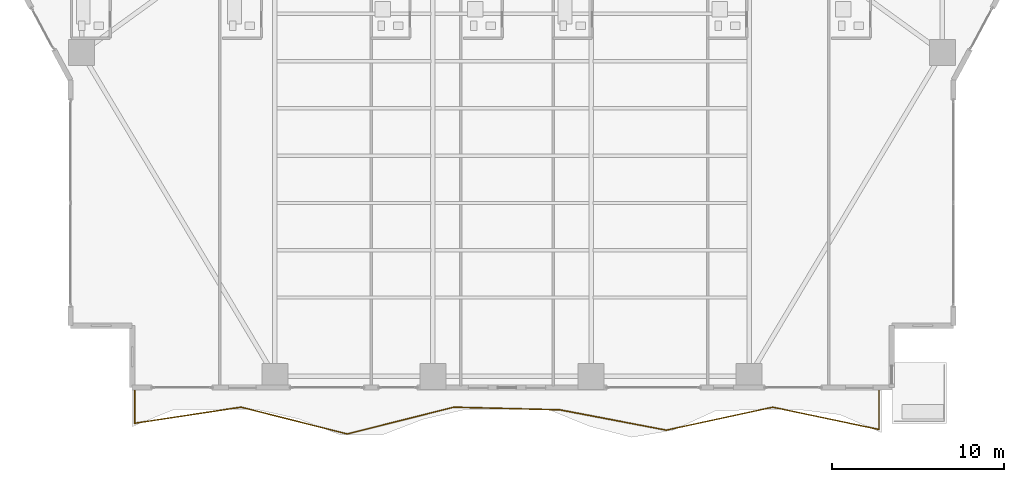
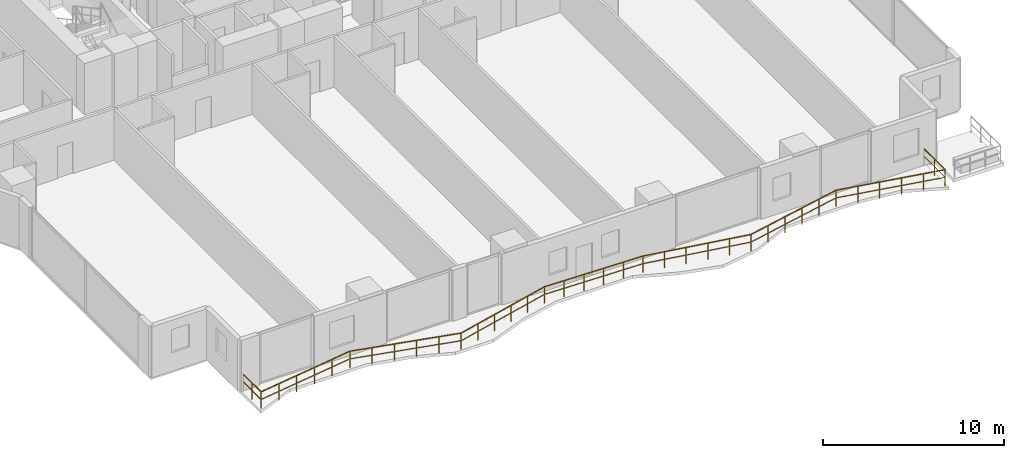
# One storey, part 23 of 29: 1 railing.
"""IFC4 building model written with IfcOpenShell, lengths in metres."""

from ifc_helpers import new_model, si_unit, direction, frame, origin, origin_2d, place, context, subcontext, project, spatial, rectangle, extrude, material, type_object, element, save


model = new_model("IFC4")

# Units and contexts
model_context = context("Model", 3, precision=1e-05, world=origin(), true_north=direction((0.0, 1.0)))
body_context = subcontext(model_context, "Body", "Model", "MODEL_VIEW")
ifc_project = project(units=[si_unit("LENGTHUNIT", "METRE"), si_unit("AREAUNIT", "SQUARE_METRE"), si_unit("VOLUMEUNIT", "CUBIC_METRE"), si_unit("PLANEANGLEUNIT", "RADIAN"), si_unit("MASSUNIT", "GRAM", prefix="KILO")], contexts=[model_context])

# Site, building, storey
site_placement = place(None, origin())
site = spatial("IfcSite", under=ifc_project, at=site_placement, CompositionType="ELEMENT")
building_placement = place(site_placement, origin())
building = spatial("IfcBuilding", under=site, at=building_placement, Name="Zuhayl Quay Hotel", CompositionType="ELEMENT")
storey_placement = place(building_placement, frame((0.0, 0.0, 45.85009765625)))
storey = spatial("IfcBuildingStorey", under=building, at=storey_placement, Name="L10", CompositionType="ELEMENT", Elevation=45.85009765625)

# Railing
ifc_material = material(Name="Anodised Aluminium and Laminated Glass", Category="aluminium")
railing_type = type_object("IfcRailingType", Name="RL_EXT_BAL_1100", PredefinedType="BALUSTRADE", material=ifc_material)
railing_placement = place(storey_placement, frame((-21.9599609375, -23.219970703125, 0.0)))
element("IfcRailing", 1, at=railing_placement, inside=storey, type_object=railing_type, Name="L10 Balcony and Terrace Guard GR_L10_BAL_S", PredefinedType="BALUSTRADE", context=body_context, shape_type="SweptSolid", body=[
    extrude(rectangle(XDim=0.048095703125, YDim=0.048095703125, at=origin_2d()), frame((0.0, 0.0, 1.09619140625), z_axis=(0.0, -1.0, 0.0), x_axis=(1.0, 0.0, 0.0)), (0.0, 0.0, 1.0), 1.95458984375),
    extrude(rectangle(XDim=0.0361328125, YDim=0.0361328125, at=origin_2d()), frame((0.0, 0.0, 0.58251953125), z_axis=(0.0, -1.0, 0.0), x_axis=(1.0, 0.0, 0.0)), (0.0, 0.0, 1.0), 1.95458984375),
    extrude(rectangle(XDim=0.048095703125, YDim=0.048095703125, at=origin_2d()), frame((0.0, -1.95458984375, 1.09619140625), z_axis=(0.988788221964, 0.149324653372, 0.0), x_axis=(-0.149324653372, 0.988788221964, 0.0)), (0.0, 0.0, 1.0), 6.258544921875),
    extrude(rectangle(XDim=0.0361328125, YDim=0.0361328125, at=origin_2d()), frame((0.0, -1.95458984375, 0.58251953125), z_axis=(0.988788221964, 0.149324653372, 0.0), x_axis=(-0.149324653372, 0.988788221964, 0.0)), (0.0, 0.0, 1.0), 6.258544921875),
    extrude(rectangle(XDim=0.048095703125, YDim=0.048095703125, at=origin_2d()), frame((6.1884765625, -1.02001953125, 1.09619140625), z_axis=(0.96979945105, -0.243903720232, 0.0), x_axis=(0.243903720232, 0.96979945105, 0.0)), (0.0, 0.0, 1.0), 6.381103515625),
    extrude(rectangle(XDim=0.0361328125, YDim=0.0361328125, at=origin_2d()), frame((6.1884765625, -1.02001953125, 0.58251953125), z_axis=(0.96979945105, -0.243903720232, 0.0), x_axis=(0.243903720232, 0.96979945105, 0.0)), (0.0, 0.0, 1.0), 6.381103515625),
    extrude(rectangle(XDim=0.048095703125, YDim=0.048095703125, at=origin_2d()), frame((12.376953125, -2.576416015625, 1.09619140625), z_axis=(0.969801726938, 0.243894670765, 0.0), x_axis=(-0.243894670765, 0.969801726938, 0.0)), (0.0, 0.0, 1.0), 6.38134765625),
    extrude(rectangle(XDim=0.0361328125, YDim=0.0361328125, at=origin_2d()), frame((12.376953125, -2.576416015625, 0.58251953125), z_axis=(0.969801726938, 0.243894670765, 0.0), x_axis=(-0.243894670765, 0.969801726938, 0.0)), (0.0, 0.0, 1.0), 6.38134765625),
    extrude(rectangle(XDim=0.048095703125, YDim=0.048095703125, at=origin_2d()), frame((18.565673828125, -1.02001953125, 1.09619140625), z_axis=(0.999684386312, -0.025122256355, 0.0), x_axis=(0.025122256355, 0.999684386312, 0.0)), (0.0, 0.0, 1.0), 6.1904296875),
    extrude(rectangle(XDim=0.0361328125, YDim=0.0361328125, at=origin_2d()), frame((18.565673828125, -1.02001953125, 0.58251953125), z_axis=(0.999684386312, -0.025122256355, 0.0), x_axis=(0.025122256355, 0.999684386312, 0.0)), (0.0, 0.0, 1.0), 6.1904296875),
    extrude(rectangle(XDim=0.048095703125, YDim=0.048095703125, at=origin_2d()), frame((24.754150390625, -1.175537109375, 1.09619140625), z_axis=(0.982277123844, -0.187434393784, 0.0), x_axis=(0.187434393784, 0.982277123844, 0.0)), (0.0, 0.0, 1.0), 6.30029296875),
    extrude(rectangle(XDim=0.0361328125, YDim=0.0361328125, at=origin_2d()), frame((24.754150390625, -1.175537109375, 0.58251953125), z_axis=(0.982277123844, -0.187434393784, 0.0), x_axis=(0.187434393784, 0.982277123844, 0.0)), (0.0, 0.0, 1.0), 6.30029296875),
    extrude(rectangle(XDim=0.048095703125, YDim=0.048095703125, at=origin_2d()), frame((30.94287109375, -2.3564453125, 1.09619140625), z_axis=(0.977467093455, 0.211087851885, 0.0), x_axis=(-0.211087851885, 0.977467093455, 0.0)), (0.0, 0.0, 1.0), 6.3310546875),
    extrude(rectangle(XDim=0.0361328125, YDim=0.0361328125, at=origin_2d()), frame((30.94287109375, -2.3564453125, 0.58251953125), z_axis=(0.977467093455, 0.211087851885, 0.0), x_axis=(-0.211087851885, 0.977467093455, 0.0)), (0.0, 0.0, 1.0), 6.3310546875),
    extrude(rectangle(XDim=0.048095703125, YDim=0.048095703125, at=origin_2d()), frame((37.13134765625, -1.02001953125, 1.09619140625), z_axis=(0.978748833065, -0.205062726435, 0.0), x_axis=(0.205062726435, 0.978748833065, 0.0)), (0.0, 0.0, 1.0), 6.322998046875),
    extrude(rectangle(XDim=0.0361328125, YDim=0.0361328125, at=origin_2d()), frame((37.13134765625, -1.02001953125, 0.58251953125), z_axis=(0.978748833065, -0.205062726435, 0.0), x_axis=(0.205062726435, 0.978748833065, 0.0)), (0.0, 0.0, 1.0), 6.322998046875),
    extrude(rectangle(XDim=0.048095703125, YDim=0.048095703125, at=origin_2d()), frame((43.320068359375, -2.316650390625, 1.09619140625), z_axis=(0.0, 1.0, 0.0), x_axis=(-1.0, 0.0, 0.0)), (0.0, 0.0, 1.0), 2.316650390625),
    extrude(rectangle(XDim=0.0361328125, YDim=0.0361328125, at=origin_2d()), frame((43.320068359375, -2.316650390625, 0.58251953125), z_axis=(0.0, 1.0, 0.0), x_axis=(-1.0, 0.0, 0.0)), (0.0, 0.0, 1.0), 2.316650390625),
    extrude(rectangle(XDim=0.0419921875, YDim=0.0419921875, at=origin_2d()), origin(), (0.0, 0.0, 1.0), 1.072021484375),
    extrude(rectangle(XDim=0.0419921875, YDim=0.0419921875, at=origin_2d()), frame((0.0, -0.977294921875, 0.0)), (0.0, 0.0, 1.0), 1.072021484375),
    extrude(rectangle(XDim=0.0419921875, YDim=0.0419921875, at=origin_2d()), frame((0.0, -1.95458984375, 0.0)), (0.0, 0.0, 1.0), 1.072021484375),
    extrude(rectangle(XDim=0.0419921875, YDim=0.0419921875, at=origin_2d()), frame((1.23779296875, -1.767578125, 0.0)), (0.0, 0.0, 1.0), 1.072021484375),
    extrude(rectangle(XDim=0.0419921875, YDim=0.0419921875, at=origin_2d()), frame((2.475341796875, -1.580810546875, 0.0)), (0.0, 0.0, 1.0), 1.072021484375),
    extrude(rectangle(XDim=0.0419921875, YDim=0.0419921875, at=origin_2d()), frame((3.713134765625, -1.393798828125, 0.0)), (0.0, 0.0, 1.0), 1.072021484375),
    extrude(rectangle(XDim=0.0419921875, YDim=0.0419921875, at=origin_2d()), frame((4.95068359375, -1.20703125, 0.0)), (0.0, 0.0, 1.0), 1.072021484375),
    extrude(rectangle(XDim=0.0419921875, YDim=0.0419921875, at=origin_2d()), frame((6.1884765625, -1.02001953125, 0.0)), (0.0, 0.0, 1.0), 1.072021484375),
    extrude(rectangle(XDim=0.0419921875, YDim=0.0419921875, at=origin_2d()), frame((7.42626953125, -1.331298828125, 0.0)), (0.0, 0.0, 1.0), 1.072021484375),
    extrude(rectangle(XDim=0.0419921875, YDim=0.0419921875, at=origin_2d()), frame((8.663818359375, -1.642578125, 0.0)), (0.0, 0.0, 1.0), 1.072021484375),
    extrude(rectangle(XDim=0.0419921875, YDim=0.0419921875, at=origin_2d()), frame((9.901611328125, -1.953857421875, 0.0)), (0.0, 0.0, 1.0), 1.072021484375),
    extrude(rectangle(XDim=0.0419921875, YDim=0.0419921875, at=origin_2d()), frame((11.13916015625, -2.26513671875, 0.0)), (0.0, 0.0, 1.0), 1.072021484375),
    extrude(rectangle(XDim=0.0419921875, YDim=0.0419921875, at=origin_2d()), frame((12.376953125, -2.576416015625, 0.0)), (0.0, 0.0, 1.0), 1.072021484375),
    extrude(rectangle(XDim=0.0419921875, YDim=0.0419921875, at=origin_2d()), frame((13.61474609375, -2.26513671875, 0.0)), (0.0, 0.0, 1.0), 1.072021484375),
    extrude(rectangle(XDim=0.0419921875, YDim=0.0419921875, at=origin_2d()), frame((14.8525390625, -1.953857421875, 0.0)), (0.0, 0.0, 1.0), 1.072021484375),
    extrude(rectangle(XDim=0.0419921875, YDim=0.0419921875, at=origin_2d()), frame((16.090087890625, -1.642578125, 0.0)), (0.0, 0.0, 1.0), 1.072021484375),
    extrude(rectangle(XDim=0.0419921875, YDim=0.0419921875, at=origin_2d()), frame((17.327880859375, -1.331298828125, 0.0)), (0.0, 0.0, 1.0), 1.072021484375),
    extrude(rectangle(XDim=0.0419921875, YDim=0.0419921875, at=origin_2d()), frame((18.565673828125, -1.02001953125, 0.0)), (0.0, 0.0, 1.0), 1.072021484375),
    extrude(rectangle(XDim=0.0419921875, YDim=0.0419921875, at=origin_2d()), frame((19.803466796875, -1.051025390625, 0.0)), (0.0, 0.0, 1.0), 1.072021484375),
    extrude(rectangle(XDim=0.0419921875, YDim=0.0419921875, at=origin_2d()), frame((21.041015625, -1.082275390625, 0.0)), (0.0, 0.0, 1.0), 1.072021484375),
    extrude(rectangle(XDim=0.0419921875, YDim=0.0419921875, at=origin_2d()), frame((22.27880859375, -1.11328125, 0.0)), (0.0, 0.0, 1.0), 1.072021484375),
    extrude(rectangle(XDim=0.0419921875, YDim=0.0419921875, at=origin_2d()), frame((23.516357421875, -1.14453125, 0.0)), (0.0, 0.0, 1.0), 1.072021484375),
    extrude(rectangle(XDim=0.0419921875, YDim=0.0419921875, at=origin_2d()), frame((24.754150390625, -1.175537109375, 0.0)), (0.0, 0.0, 1.0), 1.072021484375),
    extrude(rectangle(XDim=0.0419921875, YDim=0.0419921875, at=origin_2d()), frame((25.991943359375, -1.41162109375, 0.0)), (0.0, 0.0, 1.0), 1.072021484375),
    extrude(rectangle(XDim=0.0419921875, YDim=0.0419921875, at=origin_2d()), frame((27.229736328125, -1.64794921875, 0.0)), (0.0, 0.0, 1.0), 1.072021484375),
    extrude(rectangle(XDim=0.0419921875, YDim=0.0419921875, at=origin_2d()), frame((28.46728515625, -1.884033203125, 0.0)), (0.0, 0.0, 1.0), 1.072021484375),
    extrude(rectangle(XDim=0.0419921875, YDim=0.0419921875, at=origin_2d()), frame((29.705078125, -2.120361328125, 0.0)), (0.0, 0.0, 1.0), 1.072021484375),
    extrude(rectangle(XDim=0.0419921875, YDim=0.0419921875, at=origin_2d()), frame((30.94287109375, -2.3564453125, 0.0)), (0.0, 0.0, 1.0), 1.072021484375),
    extrude(rectangle(XDim=0.0419921875, YDim=0.0419921875, at=origin_2d()), frame((32.1806640625, -2.089111328125, 0.0)), (0.0, 0.0, 1.0), 1.072021484375),
    extrude(rectangle(XDim=0.0419921875, YDim=0.0419921875, at=origin_2d()), frame((33.418212890625, -1.82177734375, 0.0)), (0.0, 0.0, 1.0), 1.072021484375),
    extrude(rectangle(XDim=0.0419921875, YDim=0.0419921875, at=origin_2d()), frame((34.656005859375, -1.5546875, 0.0)), (0.0, 0.0, 1.0), 1.072021484375),
    extrude(rectangle(XDim=0.0419921875, YDim=0.0419921875, at=origin_2d()), frame((35.8935546875, -1.287353515625, 0.0)), (0.0, 0.0, 1.0), 1.072021484375),
    extrude(rectangle(XDim=0.0419921875, YDim=0.0419921875, at=origin_2d()), frame((37.13134765625, -1.02001953125, 0.0)), (0.0, 0.0, 1.0), 1.072021484375),
    extrude(rectangle(XDim=0.0419921875, YDim=0.0419921875, at=origin_2d()), frame((38.369140625, -1.279296875, 0.0)), (0.0, 0.0, 1.0), 1.072021484375),
    extrude(rectangle(XDim=0.0419921875, YDim=0.0419921875, at=origin_2d()), frame((39.60693359375, -1.53857421875, 0.0)), (0.0, 0.0, 1.0), 1.072021484375),
    extrude(rectangle(XDim=0.0419921875, YDim=0.0419921875, at=origin_2d()), frame((40.844482421875, -1.798095703125, 0.0)), (0.0, 0.0, 1.0), 1.072021484375),
    extrude(rectangle(XDim=0.0419921875, YDim=0.0419921875, at=origin_2d()), frame((42.082275390625, -2.057373046875, 0.0)), (0.0, 0.0, 1.0), 1.072021484375),
    extrude(rectangle(XDim=0.0419921875, YDim=0.0419921875, at=origin_2d()), frame((43.320068359375, -2.316650390625, 0.0)), (0.0, 0.0, 1.0), 1.072021484375),
    extrude(rectangle(XDim=0.0419921875, YDim=0.0419921875, at=origin_2d()), frame((43.320068359375, -1.158203125, 0.0)), (0.0, 0.0, 1.0), 1.072021484375),
    extrude(rectangle(XDim=0.0419921875, YDim=0.0419921875, at=origin_2d()), frame((43.320068359375, 0.0, 0.0)), (0.0, 0.0, 1.0), 1.072021484375),
])

save(model, "model.ifc")
